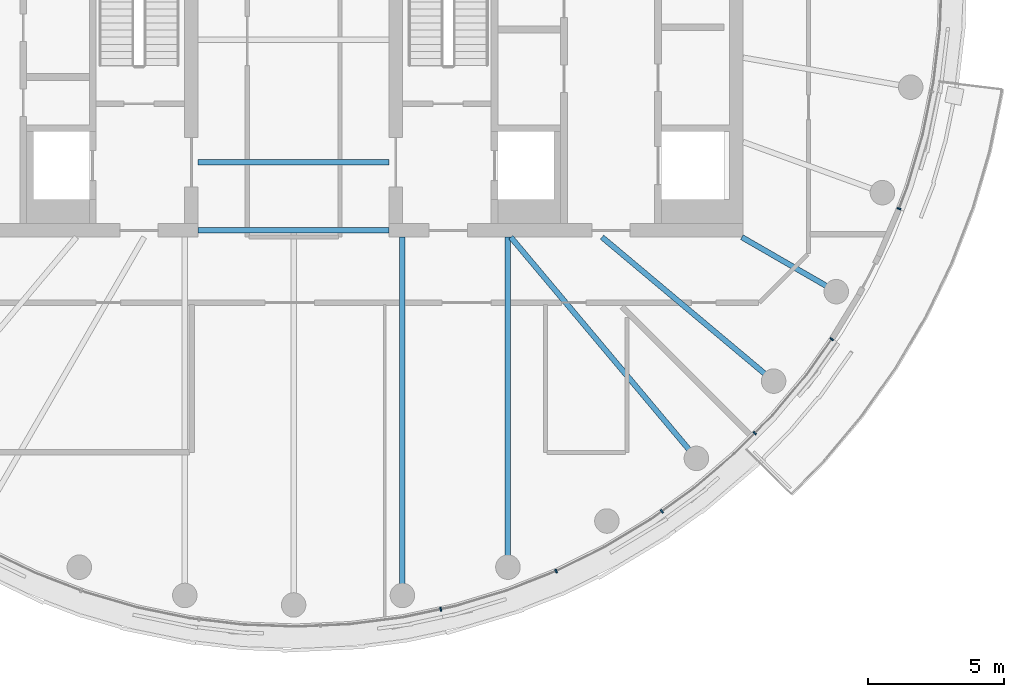
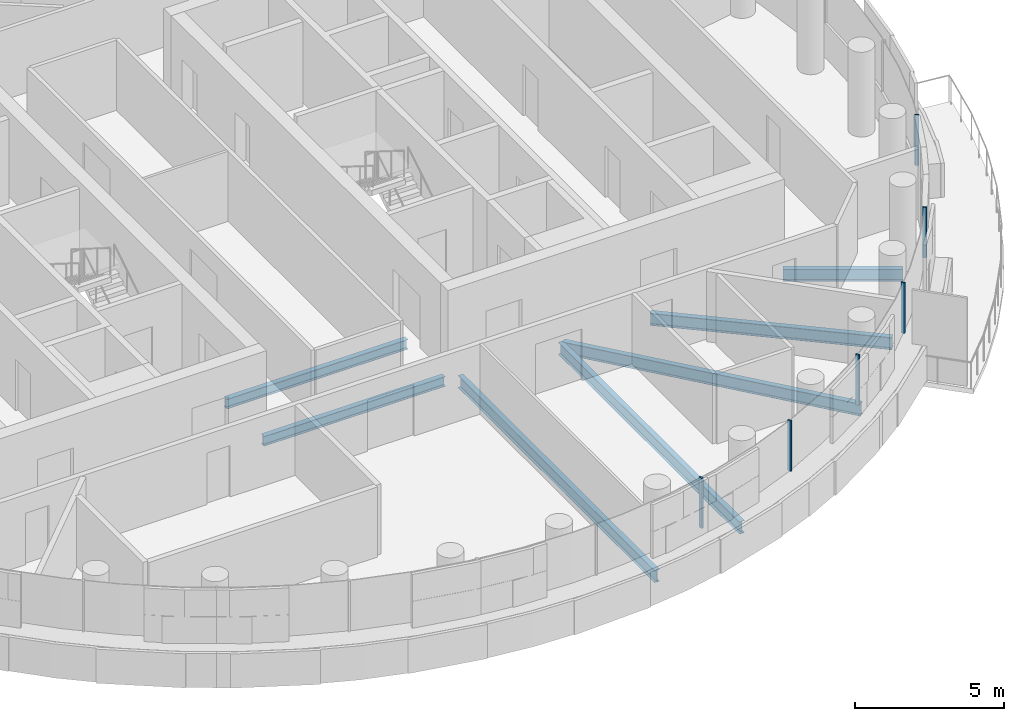
# One storey, part 7 of 26: 7 beams, 6 members, 1 element without a shape of its own.
"""IFC4 building model written with IfcOpenShell, lengths in metres."""

from ifc_helpers import new_model, si_unit, direction, frame, origin, origin_2d, place, context, subcontext, project, spatial, rectangle, i_section, extrude, material, layer, layer_set, material_profile, profile_set, type_object, element, aggregate, save


model = new_model("IFC4")

# Units and contexts
model_context = context("Model", 3, precision=1e-05, world=origin(), true_north=direction((0.0, 1.0)))
body_context = subcontext(model_context, "Body", "Model", "MODEL_VIEW")
ifc_project = project(units=[si_unit("LENGTHUNIT", "METRE"), si_unit("AREAUNIT", "SQUARE_METRE"), si_unit("VOLUMEUNIT", "CUBIC_METRE"), si_unit("PLANEANGLEUNIT", "RADIAN"), si_unit("MASSUNIT", "GRAM", prefix="KILO")], contexts=[model_context])

# Site, building, storey
site_placement = place(None, origin())
site = spatial("IfcSite", under=ifc_project, at=site_placement, CompositionType="ELEMENT")
building_placement = place(site_placement, origin())
building = spatial("IfcBuilding", under=site, at=building_placement, Name="Tamarind Cross Interchange Tower", CompositionType="ELEMENT")
storey_placement = place(building_placement, frame((0.0, 0.0, 234.300048828125)))
storey = spatial("IfcBuildingStorey", under=building, at=storey_placement, Name="L59", CompositionType="ELEMENT", Elevation=234.300048828125)

# Beams
ifc_material_1 = material(Name="Steel Q355B", Category="steel")
ifc_material_profile_1 = material_profile(ifc_material_1, i_section(OverallWidth=0.199951171875, OverallDepth=0.39990234375, WebThickness=0.008056640625, FlangeThickness=0.012939453125, FilletRadius=0.01611328125, at=origin_2d()), Name="HN 400x200x8x13")
ifc_profile_set_1 = profile_set([ifc_material_profile_1], Name="Steel Q355B")
beam_type_1 = type_object("IfcBeamType", Name="Composite beam HN 400x200x8x13 Q355B", PredefinedType="BEAM", material=ifc_profile_set_1)
for number, where, z_axis, x_axis, name in (
    (1, (-3.5, -6.75, -0.340087890625), (1.0, 0.0, 0.0), (0.0, 1.0, 0.0), "Beam G-6.75"),
    (2, (-3.5, -9.25, -0.340087890625), (1.0, 0.0, 0.0), (0.0, 1.0, 0.0), "Beam G-9.25"),
):
    element("IfcBeam", number, at=place(storey_placement, frame(where, z_axis=z_axis, x_axis=x_axis)), inside=storey, type_object=beam_type_1, Name=name, PredefinedType="BEAM", context=body_context, shape_type="SweptSolid", body=[
        extrude(i_section(OverallWidth=0.199951171875, OverallDepth=0.39990234375, WebThickness=0.008056640625, FlangeThickness=0.012939453125, FilletRadius=0.01611328125, at=origin_2d()), origin(), (0.0, 0.0, 1.0), 7.0),
    ])
ifc_material_profile_2 = material_profile(ifc_material_1, i_section(OverallWidth=0.198974609375, OverallDepth=0.49609375, WebThickness=0.009033203125, FlangeThickness=0.013916015625, FilletRadius=0.012939453125, at=origin_2d()), Name="HN 496x199x9x14")
ifc_profile_set_2 = profile_set([ifc_material_profile_2], Name="Steel Q355B")
beam_type_2 = type_object("IfcBeamType", Name="Composite beam HN 496x199x9x14 Q355B", PredefinedType="BEAM", material=ifc_profile_set_2)
beam_1_placement = place(storey_placement, frame((3.993896484375, -22.650634765625, -0.387939453125), z_axis=(0.0, 1.0, 0.0), x_axis=(-1.0, 0.0, 0.0)))
element("IfcBeam", 3, at=beam_1_placement, inside=storey, type_object=beam_type_2, Name="Beam HH28", PredefinedType="BEAM", context=body_context, shape_type="SweptSolid", body=[
    extrude(i_section(OverallWidth=0.198974609375, OverallDepth=0.49609375, WebThickness=0.009033203125, FlangeThickness=0.013916015625, FilletRadius=0.012939453125, at=origin_2d()), origin(), (0.0, 0.0, 1.0), 13.150634765625),
])
beam_2_placement = place(storey_placement, frame((7.866455078125, -21.613037109375, -0.387939453125), z_axis=(0.0, 1.0, 0.0), x_axis=(-1.0, 0.0, 0.0)))
element("IfcBeam", 4, at=beam_2_placement, inside=storey, type_object=beam_type_2, Name="Beam HH29", PredefinedType="BEAM", context=body_context, shape_type="SweptSolid", body=[
    extrude(i_section(OverallWidth=0.198974609375, OverallDepth=0.49609375, WebThickness=0.009033203125, FlangeThickness=0.013916015625, FilletRadius=0.012939453125, at=origin_2d()), origin(), (0.0, 0.0, 1.0), 12.113037109375),
])
beam_3_placement = place(storey_placement, frame((14.7841796875, -17.619140625, -0.387939453125), z_axis=(-0.642786293979, 0.766045547127, 0.0), x_axis=(-0.766045547127, -0.642786293979, 0.0)))
element("IfcBeam", 5, at=beam_3_placement, inside=storey, type_object=beam_type_2, Name="Beam HH31", PredefinedType="BEAM", context=body_context, shape_type="SweptSolid", body=[
    extrude(i_section(OverallWidth=0.198974609375, OverallDepth=0.49609375, WebThickness=0.009033203125, FlangeThickness=0.013916015625, FilletRadius=0.012939453125, at=origin_2d()), origin(), (0.0, 0.0, 1.0), 10.598876953125),
])
beam_4_placement = place(storey_placement, frame((17.619140625, -14.7841796875, -0.387939453125), z_axis=(-0.766040580814, 0.642792212574, 0.0), x_axis=(-0.642792212574, -0.766040580814, 0.0)))
element("IfcBeam", 6, at=beam_4_placement, inside=storey, type_object=beam_type_2, Name="Beam HH32", PredefinedType="BEAM", context=body_context, shape_type="SweptSolid", body=[
    extrude(i_section(OverallWidth=0.198974609375, OverallDepth=0.49609375, WebThickness=0.009033203125, FlangeThickness=0.013916015625, FilletRadius=0.012939453125, at=origin_2d()), origin(), (0.0, 0.0, 1.0), 8.220703125),
])
beam_5_placement = place(storey_placement, frame((19.918701171875, -11.5, -0.387939453125), z_axis=(-0.866026010844, 0.49999894854, 0.0), x_axis=(-0.49999894854, -0.866026010844, 0.0)))
element("IfcBeam", 7, at=beam_5_placement, inside=storey, type_object=beam_type_2, Name="Beam HH33", PredefinedType="BEAM", context=body_context, shape_type="SweptSolid", body=[
    extrude(i_section(OverallWidth=0.198974609375, OverallDepth=0.49609375, WebThickness=0.009033203125, FlangeThickness=0.013916015625, FilletRadius=0.012939453125, at=origin_2d()), origin(), (0.0, 0.0, 1.0), 4.0),
])

# Curtain wall, members
ifc_material_2 = material(Name="Aluminium 6063-T6", Category="aluminium")
ifc_layer = layer(ifc_material_2, 0.139892578125)
ifc_layer_set = layer_set([ifc_layer], Name="Aluminium 6063-T6")
curtain_wall_type = type_object("IfcCurtainWallType", Name="Hotel curtain wall, 4.5 m bays", PredefinedType="NOTDEFINED", material=ifc_layer_set)
curtain_wall_placement = place(storey_placement, origin())
curtain_wall = element("IfcCurtainWall", 8, at=curtain_wall_placement, inside=storey, type_object=curtain_wall_type, Name="CWS-L59-02", PredefinedType="NOTDEFINED")
ifc_material_profile_3 = material_profile(ifc_material_2, rectangle(XDim=0.06005859375, YDim=0.139892578125, at=origin_2d()), Name="Mullion CW2")
ifc_profile_set_3 = profile_set([ifc_material_profile_3], Name="Aluminium 6063-T6")
member_type = type_object("IfcMemberType", Name="Mullion CW2", PredefinedType="MULLION", material=ifc_profile_set_3)
member_1_placement = place(storey_placement, frame((5.4013671875, -23.15771484375, 1.39990234375), z_axis=(0.0, 0.0, 1.0), x_axis=(0.977824623121, 0.209425419705, 0.0)))
member_1 = element("IfcMember", 9, at=member_1_placement, type_object=member_type, Name="CWM-L59-02-07", PredefinedType="MULLION", context=body_context, shape_type="SweptSolid", body=[
    extrude(rectangle(XDim=0.06005859375, YDim=0.139892578125, at=origin_2d()), origin(), (0.0, 0.0, 1.0), 2.06005859375),
])
member_2_placement = place(storey_placement, frame((9.635498046875, -21.7568359375, 1.39990234375), z_axis=(0.0, 0.0, 1.0), x_axis=(0.930018078613, 0.367513773146, 0.0)))
member_2 = element("IfcMember", 10, at=member_2_placement, type_object=member_type, Name="CWM-L59-02-08", PredefinedType="MULLION", context=body_context, shape_type="SweptSolid", body=[
    extrude(rectangle(XDim=0.06005859375, YDim=0.139892578125, at=origin_2d()), origin(), (0.0, 0.0, 1.0), 2.06005859375),
])
member_3_placement = place(storey_placement, frame((13.5185546875, -19.563720703125, 1.39990234375), z_axis=(0.0, 0.0, 1.0), x_axis=(0.811340475102, 0.584573890505, 0.0)))
member_3 = element("IfcMember", 11, at=member_3_placement, type_object=member_type, Name="CWM-L59-02-09", PredefinedType="MULLION", context=body_context, shape_type="SweptSolid", body=[
    extrude(rectangle(XDim=0.06005859375, YDim=0.139892578125, at=origin_2d()), origin(), (0.0, 0.0, 1.0), 2.06005859375),
])
member_4_placement = place(storey_placement, frame((16.93017578125, -16.692626953125, 1.39990234375), z_axis=(0.0, 0.0, 1.0), x_axis=(0.704057148523, 0.710143317658, 0.0)))
member_4 = element("IfcMember", 12, at=member_4_placement, type_object=member_type, Name="CWM-L59-02-10", PredefinedType="MULLION", context=body_context, shape_type="SweptSolid", body=[
    extrude(rectangle(XDim=0.06005859375, YDim=0.139892578125, at=origin_2d()), origin(), (0.0, 0.0, 1.0), 2.06005859375),
])
member_5_placement = place(storey_placement, frame((19.7548828125, -13.242919921875, 1.39990234375), z_axis=(0.0, 0.0, 1.0), x_axis=(0.577568978284, 0.816341886298, 0.0)))
member_5 = element("IfcMember", 13, at=member_5_placement, type_object=member_type, Name="CWM-L59-02-11", PredefinedType="MULLION", context=body_context, shape_type="SweptSolid", body=[
    extrude(rectangle(XDim=0.06005859375, YDim=0.139892578125, at=origin_2d()), origin(), (0.0, 0.0, 1.0), 2.06005859375),
])
member_6_placement = place(storey_placement, frame((22.22265625, -8.451904296875, 1.39990234375), z_axis=(0.0, 0.0, 1.0), x_axis=(0.359495435512, 0.933146843667, 0.0)))
member_6 = element("IfcMember", 14, at=member_6_placement, type_object=member_type, Name="CWM-L59-02-12", PredefinedType="MULLION", context=body_context, shape_type="SweptSolid", body=[
    extrude(rectangle(XDim=0.06005859375, YDim=0.139892578125, at=origin_2d()), origin(), (0.0, 0.0, 1.0), 2.06005859375),
])
aggregate(curtain_wall, [member_1, member_2, member_3, member_4, member_5, member_6])

save(model, "model.ifc")
